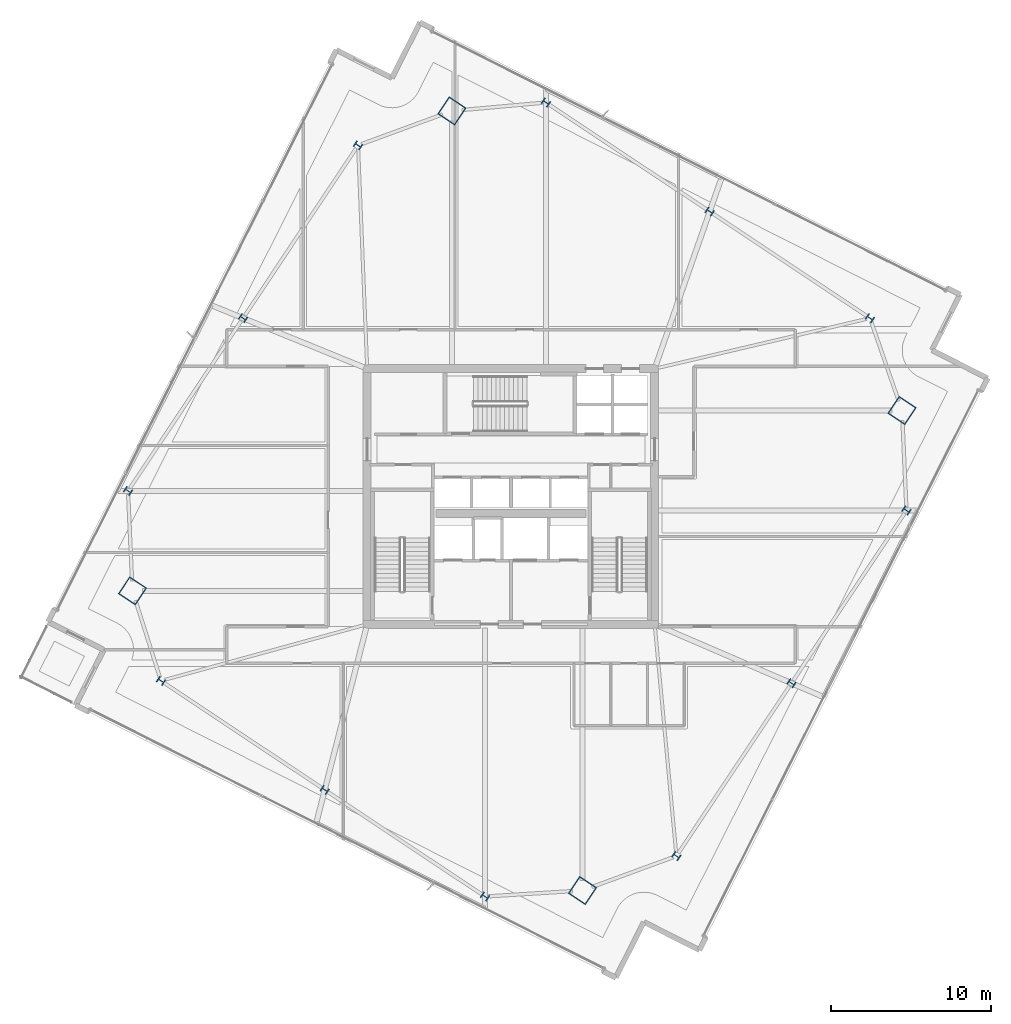
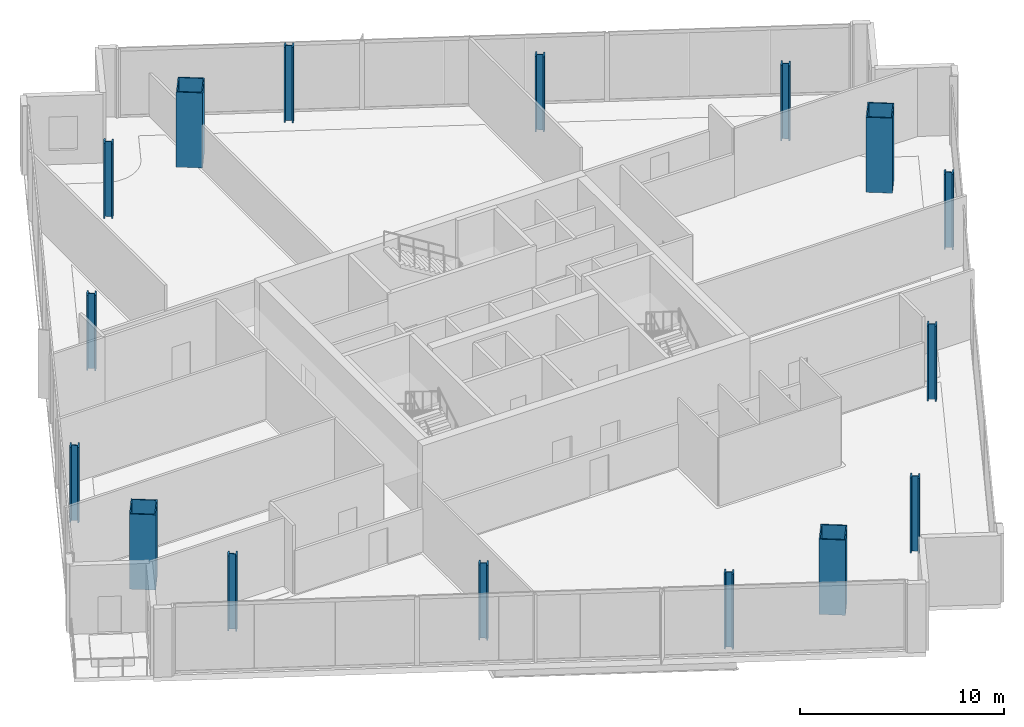
# One storey, part 1 of 27: 16 columns.
"""IFC4 building model written with IfcOpenShell, lengths in metres."""

from ifc_helpers import new_model, si_unit, direction, frame, origin, origin_2d, place, context, subcontext, project, spatial, hollow_rectangle, i_section, extrude, material, material_profile, profile_set, type_object, element, save


model = new_model("IFC4")

# Units and contexts
model_context = context("Model", 3, precision=1e-05, world=origin(), true_north=direction((0.0, 1.0)))
body_context = subcontext(model_context, "Body", "Model", "MODEL_VIEW")
ifc_project = project(units=[si_unit("LENGTHUNIT", "METRE"), si_unit("AREAUNIT", "SQUARE_METRE"), si_unit("VOLUMEUNIT", "CUBIC_METRE"), si_unit("PLANEANGLEUNIT", "RADIAN"), si_unit("MASSUNIT", "GRAM", prefix="KILO")], contexts=[model_context])

# Site, building, storey
site_placement = place(None, origin())
site = spatial("IfcSite", under=ifc_project, at=site_placement, CompositionType="ELEMENT")
building_placement = place(site_placement, origin())
building = spatial("IfcBuilding", under=site, at=building_placement, Name="Haldenkirk Collegiate Tower", CompositionType="ELEMENT")
storey_placement = place(building_placement, frame((0.0, 0.0, 239.699951171875)))
storey = spatial("IfcBuildingStorey", under=building, at=storey_placement, Name="L60", CompositionType="ELEMENT", Elevation=239.699951171875)

# Columns
ifc_material_1 = material(Name="Steel ASTM A913 Grade 65", Category="steel")
ifc_material_profile_1 = material_profile(ifc_material_1, i_section(OverallWidth=0.424072265625, OverallDepth=0.47412109375, WebThickness=0.047607421875, FlangeThickness=0.0771484375, at=origin_2d()), Name="W14X426")
ifc_profile_set_1 = profile_set([ifc_material_profile_1], Name="Steel ASTM A913 Grade 65")
column_type_1 = type_object("IfcColumnType", Name="COL-INT-W14X426", PredefinedType="COLUMN", material=ifc_profile_set_1)
for number, where, z_axis, x_axis, name in (
    (1, (46.363037109375, 3.48974609375, 0.0), (0.0, 0.0, 1.0), (0.554118199338, 0.832437998389, 0.0), "L60 perimeter gravity column PC-S1"),
    (2, (53.564453125, 14.30810546875, 0.0), (0.0, 0.0, 1.0), (0.554118199338, 0.832437998389, 0.0), "L60 perimeter gravity column PC-S2"),
    (3, (60.765869140625, 25.12646484375, 0.0), (0.0, 0.0, 1.0), (0.554118199338, 0.832437998389, 0.0), "L60 perimeter gravity column PC-S3"),
    (4, (58.48095703125, 37.16357421875, 0.0), (0.0, 0.0, 1.0), (0.554118199338, 0.832437998389, 0.0), "L60 perimeter gravity column PC-E1"),
    (5, (48.447509765625, 43.84228515625, 0.0), (0.0, 0.0, 1.0), (0.554118199338, 0.832437998389, 0.0), "L60 perimeter gravity column PC-E2"),
    (6, (38.192626953125, 50.66845703125, 0.0), (0.0, 0.0, 1.0), (0.554118199338, 0.832437998389, 0.0), "L60 perimeter gravity column PC-E3"),
    (7, (26.427734375, 47.98388671875, 0.0), (0.0, 0.0, 1.0), (0.554118199338, 0.832437998389, 0.0), "L60 perimeter gravity column PC-N1"),
    (8, (19.226318359375, 37.16552734375, 0.0), (0.0, 0.0, 1.0), (0.554118199338, 0.832437998389, 0.0), "L60 perimeter gravity column PC-N2"),
    (9, (12.025146484375, 26.34716796875, 0.0), (0.0, 0.0, 1.0), (0.554118199338, 0.832437998389, 0.0), "L60 perimeter gravity column PC-N3"),
    (10, (14.08837890625, 14.45751953125, 0.0), (0.0, 0.0, 1.0), (0.554118199338, 0.832437998389, 0.0), "L60 perimeter gravity column PC-W1"),
    (11, (24.34326171875, 7.63134765625, 0.0), (0.0, 0.0, 1.0), (0.554118199338, 0.832437998389, 0.0), "L60 perimeter gravity column PC-W2"),
    (12, (34.376708984375, 0.952392578125, 0.0), (0.0, 0.0, 1.0), (0.554118199338, 0.832437998389, 0.0), "L60 perimeter gravity column PC-W3"),
):
    element("IfcColumn", number, at=place(storey_placement, frame(where, z_axis=z_axis, x_axis=x_axis)), inside=storey, type_object=column_type_1, Name=name, PredefinedType="COLUMN", context=body_context, shape_type="SweptSolid", body=[
        extrude(i_section(OverallWidth=0.424072265625, OverallDepth=0.47412109375, WebThickness=0.047607421875, FlangeThickness=0.0771484375, at=origin_2d()), origin(), (0.0, 0.0, 1.0), 4.5),
    ])
ifc_material_2 = material(Name="Steel ASTM A572 Grade 50", Category="steel")
ifc_material_profile_2 = material_profile(ifc_material_2, hollow_rectangle(XDim=1.300048828125, YDim=1.300048828125, WallThickness=0.06005859375, at=origin_2d()), Name="BOX1300X1300X60")
ifc_profile_set_2 = profile_set([ifc_material_profile_2], Name="Steel ASTM A572 Grade 50")
column_type_2 = type_object("IfcColumnType", Name="COL-MEGA-BOX1300X1300X60", PredefinedType="COLUMN", material=ifc_profile_set_2)
for number, where, z_axis, x_axis, name in (
    (13, (40.482666015625, 1.332763671875, 0.0), (0.0, 0.0, 1.0), (0.554118199338, 0.832437998389, 0.0), "L60 corner mega-column MC1"),
    (14, (60.486328125, 31.3837890625, 0.0), (0.0, 0.0, 1.0), (0.554118199338, 0.832437998389, 0.0), "L60 corner mega-column MC2"),
    (15, (32.30810546875, 50.140869140625, 0.0), (0.0, 0.0, 1.0), (0.554118199338, 0.832437998389, 0.0), "L60 corner mega-column MC3"),
    (16, (12.3046875, 20.089599609375, 0.0), (0.0, 0.0, 1.0), (0.554118199338, 0.832437998389, 0.0), "L60 corner mega-column MC4"),
):
    element("IfcColumn", number, at=place(storey_placement, frame(where, z_axis=z_axis, x_axis=x_axis)), inside=storey, type_object=column_type_2, Name=name, PredefinedType="COLUMN", context=body_context, shape_type="SweptSolid", body=[
        extrude(hollow_rectangle(XDim=1.300048828125, YDim=1.300048828125, WallThickness=0.06005859375, at=origin_2d()), origin(), (0.0, 0.0, 1.0), 4.5),
    ])

save(model, "model.ifc")
